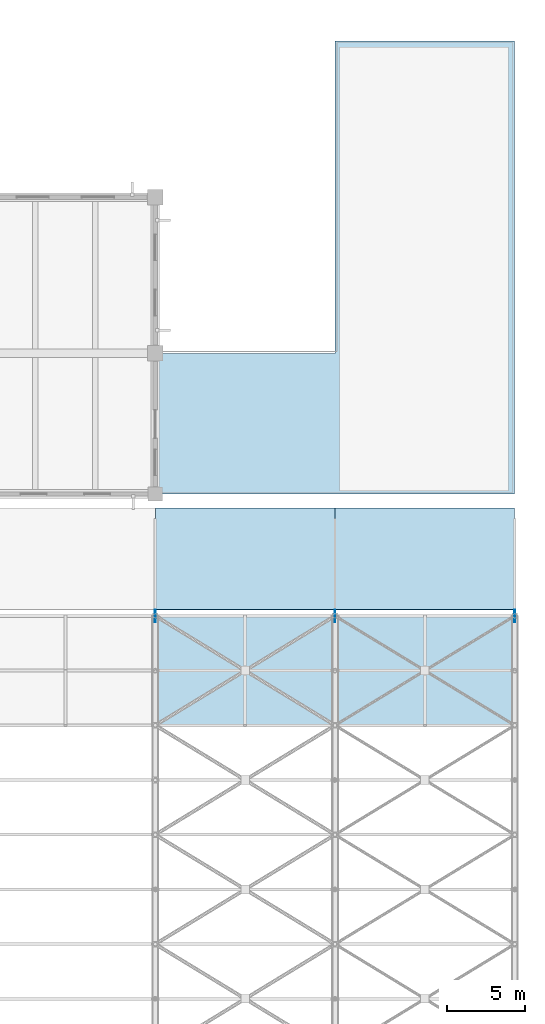
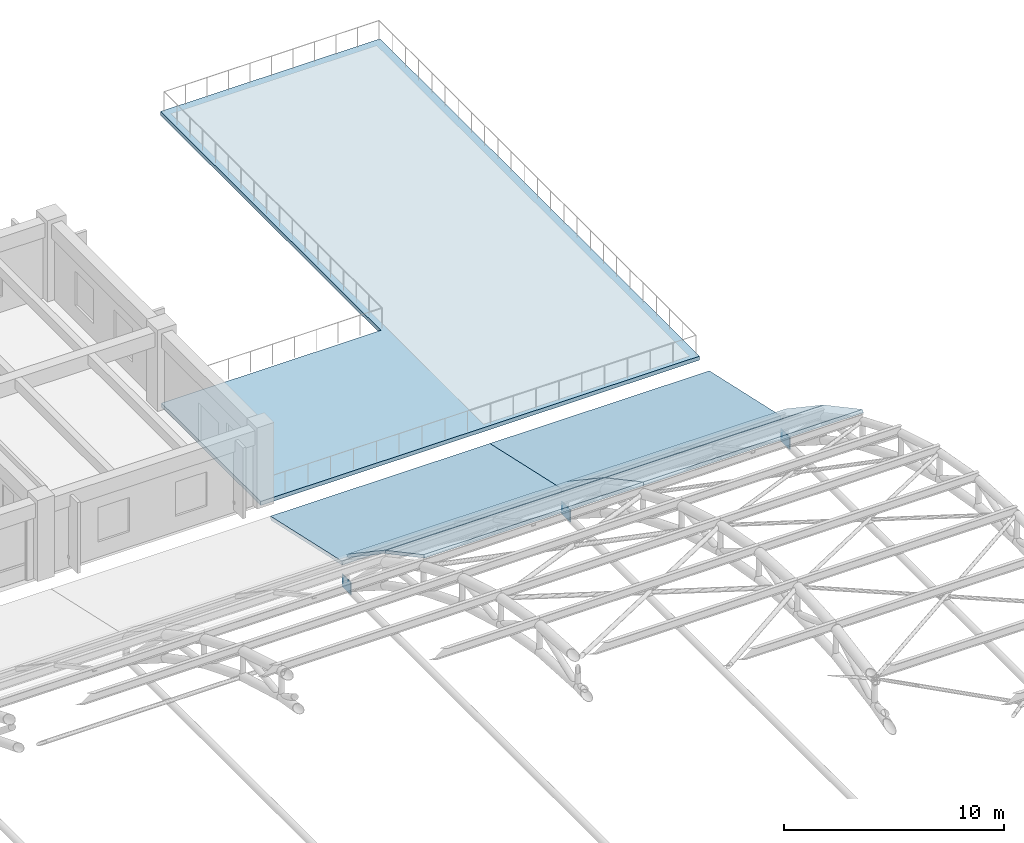
# One storey, part 133 of 154: 7 slabs, 3 plates.
"""IFC4 building model written with IfcOpenShell, lengths in metres."""

from ifc_helpers import new_model, si_unit, direction, frame, origin, origin_2d, place, context, subcontext, project, spatial, polyline, rectangle, outline, extrude, material, layer, layer_set, type_object, element, save


model = new_model("IFC4")

# Units and contexts
model_context = context("Model", 3, precision=1e-05, world=origin(), true_north=direction((0.0, 1.0)))
body_context = subcontext(model_context, "Body", "Model", "MODEL_VIEW")
ifc_project = project(units=[si_unit("LENGTHUNIT", "METRE"), si_unit("AREAUNIT", "SQUARE_METRE"), si_unit("VOLUMEUNIT", "CUBIC_METRE"), si_unit("PLANEANGLEUNIT", "RADIAN"), si_unit("MASSUNIT", "GRAM", prefix="KILO")], contexts=[model_context])

# Site, building, storey
site_placement = place(None, origin())
site = spatial("IfcSite", under=ifc_project, at=site_placement, CompositionType="ELEMENT")
building_placement = place(site_placement, origin())
building = spatial("IfcBuilding", under=site, at=building_placement, Name="Ologun Quay Terminus", CompositionType="ELEMENT")
storey_placement = place(building_placement, frame((0.0, 0.0, 13.800048828125)))
storey = spatial("IfcBuildingStorey", under=building, at=storey_placement, Name="L03", CompositionType="ELEMENT", Elevation=13.800048828125)

# Plates
ifc_material_1 = material(Name="Steel S355", Category="steel")
ifc_layer_1 = layer(ifc_material_1, 0.0400390625)
ifc_layer_set_1 = layer_set([ifc_layer_1], Name="Steel S355")
plate_type = type_object("IfcPlateType", Name="Arch Springing Steel Gusset Plate 40", PredefinedType="SHEET", material=ifc_layer_set_1)
for number, where, z_axis, x_axis, name in (
    (1, (161.0, 78.0, -0.2001953125), (0.0, 0.0, 1.0), (0.0, 1.0, 0.0), "PL-GUS Arch Springing Gusset 15/F"),
    (2, (172.5, 78.0, -0.2001953125), (0.0, 0.0, 1.0), (0.0, 1.0, 0.0), "PL-GUS Arch Springing Gusset 16/F"),
    (3, (184.0, 78.0, -0.2001953125), (0.0, 0.0, 1.0), (0.0, 1.0, 0.0), "PL-GUS Arch Springing Gusset 17/F"),
):
    element("IfcPlate", number, at=place(storey_placement, frame(where, z_axis=z_axis, x_axis=x_axis)), inside=storey, type_object=plate_type, Name=name, PredefinedType="SHEET", context=body_context, shape_type="SweptSolid", body=[
        extrude(rectangle(XDim=0.800048828125, YDim=0.0400390625, at=origin_2d()), origin(), (0.0, 0.0, 1.0), 0.699951171875),
    ])

# Slabs
ifc_material_2 = material(Name="Concrete C40/50", Category="concrete")
ifc_layer_2 = layer(ifc_material_2, 0.199951171875)
ifc_layer_set_2 = layer_set([ifc_layer_2], Name="Concrete C40/50")
slab_type_1 = type_object("IfcSlabType", Name="Pitched Overhanging Concrete Roof Slab 200", PredefinedType="ROOF", material=ifc_layer_set_2)
for number, where, z_axis, x_axis, name in (
    (4, (161.0, 84.909912109375, -0.271240234375), (0.0, 0.21695378705, 0.976181875618), (1.0, 0.0, 0.0), "SL-RF North Gallery Sloped Roof Bay 15"),
    (5, (172.5, 84.909912109375, -0.271240234375), (0.0, 0.21695378705, 0.976181875618), (1.0, 0.0, 0.0), "SL-RF North Gallery Sloped Roof Bay 16"),
):
    element("IfcSlab", number, at=place(storey_placement, frame(where, z_axis=z_axis, x_axis=x_axis)), inside=storey, type_object=slab_type_1, Name=name, PredefinedType="ROOF", context=body_context, shape_type="SweptSolid", body=[
        extrude(outline(polyline([(0.0, 0.0), (11.5, 0.0), (11.5, -6.648341253281022), (0.0, -6.648341253281022), (0.0, 0.0)])), origin(), (0.0, 0.0, -1.0), 0.199951171875),
    ])
ifc_material_3 = material(Name="Steel S355", Category="steel")
ifc_layer_3 = layer(ifc_material_3, 0.159912109375)
ifc_layer_set_3 = layer_set([ifc_layer_3], Name="Steel S355")
slab_type_2 = type_object("IfcSlabType", Name="Train Shed Barrel Roof Facet Slab 160", PredefinedType="ROOF", material=ifc_layer_set_3)
slab_1_placement = place(storey_placement, frame((161.0, 71.0, 6.0283203125), z_axis=(0.0, 0.473176099324, 0.880967864924), x_axis=(1.0, 0.0, 0.0)))
element("IfcSlab", 6, at=slab_1_placement, inside=storey, type_object=slab_type_2, Name="SL-SHD Train Shed Eave Roof Facet B15-P11", PredefinedType="ROOF", context=body_context, shape_type="SweptSolid", body=[
    extrude(outline(polyline([(0.0, 0.0), (11.5, 0.0), (11.5, 3.972903143638529), (0.0, 3.972903143638529), (0.0, 0.0)])), origin(), (0.0, 0.0, -1.0), 0.159912109375),
])
slab_2_placement = place(storey_placement, frame((161.0, 74.5, 4.158203125), z_axis=(0.0, 0.55717065423, 0.830398014247), x_axis=(1.0, 0.0, 0.0)))
element("IfcSlab", 7, at=slab_2_placement, inside=storey, type_object=slab_type_2, Name="SL-SHD Train Shed Eave Roof Facet B15-P12", PredefinedType="ROOF", context=body_context, shape_type="SweptSolid", body=[
    extrude(outline(polyline([(0.0, 0.0), (11.5, 0.0), (11.5, 4.214846302558472), (0.0, 4.214846302558472), (0.0, 0.0)])), origin(), (0.0, 0.0, -1.0), 0.159912109375),
])
slab_3_placement = place(storey_placement, frame((172.5, 71.0, 6.0283203125), z_axis=(0.0, 0.473176099324, 0.880967864924), x_axis=(1.0, 0.0, 0.0)))
element("IfcSlab", 8, at=slab_3_placement, inside=storey, type_object=slab_type_2, Name="SL-SHD Train Shed Eave Roof Facet B16-P11", PredefinedType="ROOF", context=body_context, shape_type="SweptSolid", body=[
    extrude(outline(polyline([(0.0, 0.0), (11.5, 0.0), (11.5, 3.972903143638529), (0.0, 3.972903143638529), (0.0, 0.0)])), origin(), (0.0, 0.0, -1.0), 0.159912109375),
])
slab_4_placement = place(storey_placement, frame((172.5, 74.5, 4.158203125), z_axis=(0.0, 0.55717065423, 0.830398014247), x_axis=(1.0, 0.0, 0.0)))
element("IfcSlab", 9, at=slab_4_placement, inside=storey, type_object=slab_type_2, Name="SL-SHD Train Shed Eave Roof Facet B16-P12", PredefinedType="ROOF", context=body_context, shape_type="SweptSolid", body=[
    extrude(outline(polyline([(0.0, 0.0), (11.5, 0.0), (11.5, 4.214846302558472), (0.0, 4.214846302558472), (0.0, 0.0)])), origin(), (0.0, 0.0, -1.0), 0.159912109375),
])
ifc_material_4 = material(Name="Concrete C40/50", Category="concrete")
ifc_layer_4 = layer(ifc_material_4, 0.219970703125)
ifc_layer_set_4 = layer_set([ifc_layer_4], Name="Concrete C40/50")
slab_type_3 = type_object("IfcSlabType", Name="Waterfront & Courtyard Terrace Slab 220", PredefinedType="FLOOR", material=ifc_layer_set_4)
slab_5_placement = place(storey_placement, frame((0.0, 0.0, -0.219970703125)))
element("IfcSlab", 10, at=slab_5_placement, inside=storey, type_object=slab_type_3, Name="SL-TER East Quay Roof Terrace Slab L03", PredefinedType="FLOOR", context=body_context, shape_type="SweptSolid", body=[
    extrude(outline(polyline([(161.0, 85.800048828125), (184.0, 85.800048828125), (184.0, 114.800048828125), (172.5, 114.800048828125), (172.5, 94.800048828125), (161.0, 94.800048828125), (161.0, 85.800048828125)])), origin(), (0.0, 0.0, 1.0), 0.219970703125),
])

save(model, "model.ifc")
